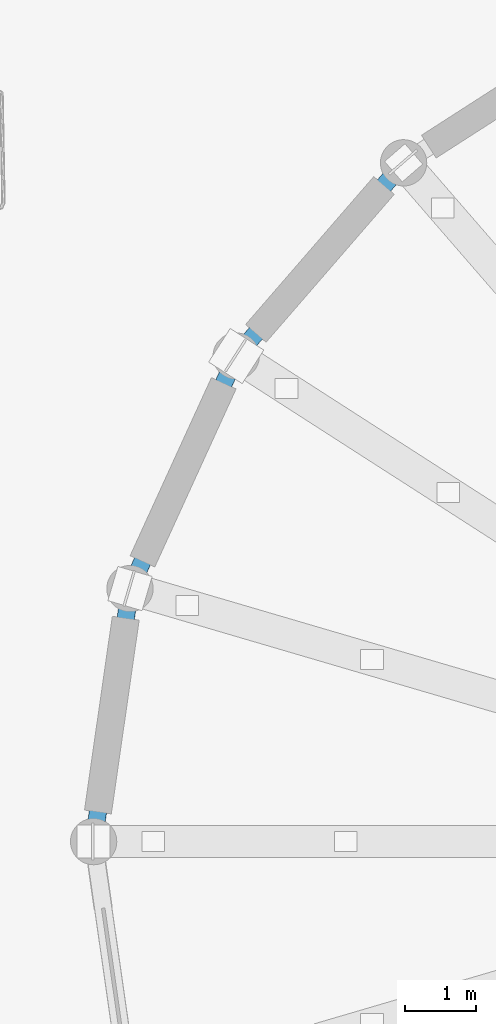
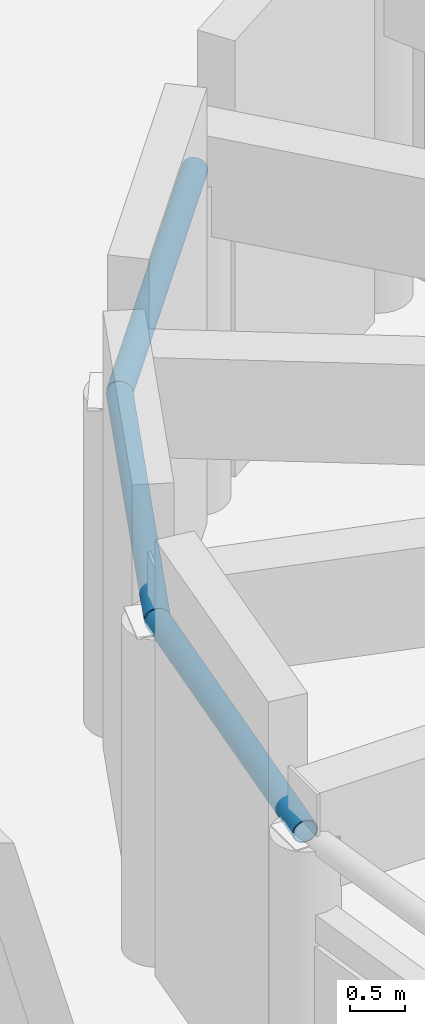
# One storey, part 21 of 69: 3 beams.
"""IFC4 building model written with IfcOpenShell, lengths in metres."""

import ifcopenshell
import ifcopenshell.guid

model = None  # the IFC model being written
_history = None  # IfcOwnerHistory: only IFC2X3 demands one
_inside = {}  # id of a spatial element -> (the spatial element, [elements in it])
_under = {}  # id of a project, library or spatial element -> (it, [spatial elements below it])
_declared = {}  # id of a project -> (the project, [libraries it declares])
_typed = {}  # id of a type object -> (the type object, [elements of that type])
_made_of = {}  # id of a material, layer set ... -> (it, [elements and type objects made of it])


def new_model(schema):
    """Start an empty IFC model of exactly this schema.

    Asked for "IFC4X3", IfcOpenShell would pick the latest addendum, in which some entities
    have other attributes; the version numbers below select the first issue.
    IFC2X3 requires an IfcOwnerHistory on every rooted entity: one is made here for all.
    """
    global model, _history
    if schema == "IFC4X3":
        model = ifcopenshell.file(schema_version=(4, 3, 0, 0))
    else:
        model = ifcopenshell.file(schema=schema)
    _inside.clear()
    _under.clear()
    _declared.clear()
    _typed.clear()
    _made_of.clear()
    _history = None
    if model.schema == "IFC2X3":
        org = make("IfcOrganization", Name="unknown")
        user = make(
            "IfcPersonAndOrganization",
            ThePerson=make("IfcPerson", FamilyName="unknown"),
            TheOrganization=org,
        )
        app = make(
            "IfcApplication",
            ApplicationDeveloper=org,
            Version="unknown",
            ApplicationFullName="unknown",
            ApplicationIdentifier="unknown",
        )
        _history = make(
            "IfcOwnerHistory",
            OwningUser=user,
            OwningApplication=app,
            ChangeAction="ADDED",
            CreationDate=0,
        )
    return model


def make(cls, **values):
    """One entity of the class cls with the attributes given. An attribute that is None is left unset."""
    return model.create_entity(
        cls, **{name: value for name, value in values.items() if value is not None}
    )


def rooted(cls, **values):
    """An entity with a GlobalId (a new one), such as an element, a storey or a relation."""
    return make(cls, GlobalId=ifcopenshell.guid.new(), OwnerHistory=_history, **values)


def si_unit(unit_type, name, prefix=None):
    """IfcSIUnit, for example si_unit("LENGTHUNIT", "METRE", prefix="MILLI")."""
    return make("IfcSIUnit", UnitType=unit_type, Prefix=prefix, Name=name)


def assignment(units):
    """IfcUnitAssignment: the units of a project."""
    return None if units is None else make("IfcUnitAssignment", Units=units)


def point(xyz):
    """IfcCartesianPoint."""
    return None if xyz is None else make("IfcCartesianPoint", Coordinates=xyz)


def direction(xyz):
    """IfcDirection."""
    return None if xyz is None else make("IfcDirection", DirectionRatios=xyz)


def frame(location, z_axis=None, x_axis=None):
    """IfcAxis2Placement3D, a coordinate frame: its origin and axes. An axis left out is left unset."""
    return make(
        "IfcAxis2Placement3D",
        Location=point(location),
        Axis=direction(z_axis),
        RefDirection=direction(x_axis),
    )


def frame_2d(location, x_axis=None):
    """IfcAxis2Placement2D, a coordinate frame in the plane: its origin and x axis."""
    return make(
        "IfcAxis2Placement2D", Location=point(location), RefDirection=direction(x_axis)
    )


def origin():
    """The frame at (0, 0, 0) with its axes left unset."""
    return frame((0.0, 0.0, 0.0))


def origin_2d():
    """The frame at (0, 0) in the plane with its x axis left unset."""
    return frame_2d((0.0, 0.0))


def place(relative_to, where):
    """IfcLocalPlacement: puts the frame where relative to a parent placement (None: the world)."""
    return make(
        "IfcLocalPlacement", PlacementRelTo=relative_to, RelativePlacement=where
    )


def context(
    kind, dimensions, precision=None, world=None, true_north=None, identifier=None
):
    """IfcGeometricRepresentationContext, for example the 3D "Model" context."""
    return make(
        "IfcGeometricRepresentationContext",
        ContextIdentifier=identifier,
        ContextType=kind,
        CoordinateSpaceDimension=dimensions,
        Precision=precision,
        WorldCoordinateSystem=world,
        TrueNorth=true_north,
    )


def subcontext(parent, identifier, kind, view, scale=None):
    """IfcGeometricRepresentationSubContext, for example "Body" below "Model"."""
    return make(
        "IfcGeometricRepresentationSubContext",
        ContextIdentifier=identifier,
        ContextType=kind,
        ParentContext=parent,
        TargetScale=scale,
        TargetView=view,
    )


def project(units=None, contexts=None):
    """IfcProject with its units and contexts."""
    return rooted(
        "IfcProject",
        Name="project",
        RepresentationContexts=contexts,
        UnitsInContext=assignment(units),
    )


def spatial(cls, under=None, at=None, **own):
    """A site, building, storey or space (cls), placed at a placement, below another one or the project."""
    s = rooted(cls, ObjectPlacement=at, **own)
    if under is not None:
        _under.setdefault(under.id(), (under, []))[1].append(s)
    return s


def profile(cls, at=None, kind="AREA", **sizes):
    """A parametric profile (cls). Its sizes go by their IFC names, for example OverallWidth=200.0."""
    return make(cls, ProfileType=kind, Position=at, **sizes)


def hollow_circle(**sizes):
    """IfcCircleHollowProfileDef."""
    return profile("IfcCircleHollowProfileDef", **sizes)


def extrude(swept, where, along, depth):
    """IfcExtrudedAreaSolid: the profile swept, set in the frame where, extruded along a direction by depth."""
    return make(
        "IfcExtrudedAreaSolid",
        SweptArea=swept,
        Position=where,
        ExtrudedDirection=direction(along),
        Depth=depth,
    )


def shape(context_of_items, identifier, shape_type, items):
    """IfcShapeRepresentation: the items that make up one representation, for example the "Body"."""
    return make(
        "IfcShapeRepresentation",
        ContextOfItems=context_of_items,
        RepresentationIdentifier=identifier,
        RepresentationType=shape_type,
        Items=items,
    )


def material(Name=None, Category=None):
    """IfcMaterial."""
    return make("IfcMaterial", Name=Name, Category=Category)


def material_profile(
    of_material, cross_section, Name=None, Category=None, Priority=None
):
    """IfcMaterialProfile: a cross section and its material."""
    return make(
        "IfcMaterialProfile",
        Name=Name,
        Material=of_material,
        Profile=cross_section,
        Priority=Priority,
        Category=Category,
    )


def profile_set(profiles, Name=None, composite=None):
    """IfcMaterialProfileSet."""
    return make(
        "IfcMaterialProfileSet",
        Name=Name,
        MaterialProfiles=profiles,
        CompositeProfile=composite,
    )


def made_of(thing, what):
    """Note that an element or type object is made of a material, layer set ...; save() writes the relation."""
    if what is not None:
        _made_of.setdefault(what.id(), (what, []))[1].append(thing)
    return thing


def type_object(cls, material=None, **own):
    """A type object (cls), such as IfcWallType, which elements share."""
    return made_of(rooted(cls, **own), material)


def element(
    cls,
    number,
    at=None,
    inside=None,
    cuts=None,
    type_object=None,
    material=None,
    context=None,
    identifier="Body",
    shape_type=None,
    held_by="IfcProductDefinitionShape",
    body=None,
    shapes=None,
    **own,
):
    """One element of the class cls, such as IfcWall. Its Tag is "e" and its number.

    at: its placement. inside: the storey or other place that contains it. cuts: it is an
    opening in that element (IfcRelVoidsElement). A single representation is given by context,
    identifier, shape_type and body (its items); several are given by shapes. held_by: the class
    of the entity that holds the representations. save() writes the other relations.
    """
    e = rooted(cls, Tag="e%d" % number, ObjectPlacement=at, **own)
    if body is not None:
        shapes = [shape(context, identifier, shape_type, body)]
    if shapes is not None:
        e.Representation = make(held_by, Representations=shapes)
    if inside is not None:
        _inside.setdefault(inside.id(), (inside, []))[1].append(e)
    if cuts is not None:
        rooted(
            "IfcRelVoidsElement", RelatingBuildingElement=cuts, RelatedOpeningElement=e
        )
    if type_object is not None:
        _typed.setdefault(type_object.id(), (type_object, []))[1].append(e)
    return made_of(e, material)


def aggregate(whole, parts):
    """IfcRelAggregates: a whole, such as a stair, and the parts it consists of."""
    return rooted("IfcRelAggregates", RelatingObject=whole, RelatedObjects=parts)


def save(model, path):
    """Write the relations noted so far, then the file.

    IfcRelAggregates (storeys below a building ...), IfcRelContainedInSpatialStructure (elements
    in a storey), IfcRelDefinesByType, IfcRelAssociatesMaterial and IfcRelDeclares: one each for
    every whole, place, type object, material and project.
    """
    for whole, parts in _under.values():
        aggregate(whole, parts)
    for where, things in _inside.values():
        rooted(
            "IfcRelContainedInSpatialStructure",
            RelatedElements=things,
            RelatingStructure=where,
        )
    for kind, things in _typed.values():
        rooted("IfcRelDefinesByType", RelatedObjects=things, RelatingType=kind)
    for what, things in _made_of.values():
        rooted("IfcRelAssociatesMaterial", RelatedObjects=things, RelatingMaterial=what)
    for by, libraries in _declared.values():
        rooted("IfcRelDeclares", RelatingContext=by, RelatedDefinitions=libraries)
    model.write(path)


model = new_model("IFC4")

# Units and contexts
model_context = context("Model", 3, precision=1e-05, world=origin(), true_north=direction((0.0, 1.0)))
body_context = subcontext(model_context, "Body", "Model", "MODEL_VIEW")
ifc_project = project(units=[si_unit("LENGTHUNIT", "METRE"), si_unit("AREAUNIT", "SQUARE_METRE"), si_unit("VOLUMEUNIT", "CUBIC_METRE"), si_unit("PLANEANGLEUNIT", "RADIAN"), si_unit("MASSUNIT", "GRAM", prefix="KILO")], contexts=[model_context])

# Site, building, storey
site_placement = place(None, origin())
site = spatial("IfcSite", under=ifc_project, at=site_placement, CompositionType="ELEMENT")
building_placement = place(site_placement, origin())
building = spatial("IfcBuilding", under=site, at=building_placement, Name="Pelvatis Terrace Science Centre", CompositionType="ELEMENT")
storey_placement = place(building_placement, frame((0.0, 0.0, 15.0)))
storey = spatial("IfcBuildingStorey", under=building, at=storey_placement, Name="L03", CompositionType="ELEMENT", Elevation=15.0)

# Beams
ifc_material = material(Name="Structural steel S355", Category="steel")
ifc_material_profile = material_profile(ifc_material, hollow_circle(Radius=0.122314453125, WallThickness=0.010009765625, at=origin_2d()), Name="CHS 244.5x10.0")
ifc_profile_set = profile_set([ifc_material_profile], Name="Structural steel S355")
beam_type = type_object("IfcBeamType", Name="BM-HOOP-CHS244", PredefinedType="BEAM", material=ifc_profile_set)
beam_placement = place(storey_placement, frame((100.94873046875, 95.322509765625, 3.60009765625), z_axis=(-0.654863153819, -0.755747477515, 0.0), x_axis=(0.755747477515, -0.654863153819, 0.0)))
element("IfcBeam", 1, at=beam_placement, inside=storey, type_object=beam_type, Name="Planetarium dome hoop ring 1.09", PredefinedType="BEAM", context=body_context, shape_type="SweptSolid", body=[
    extrude(hollow_circle(Radius=0.122314453125, WallThickness=0.010009765625, at=origin_2d()), origin(), (0.0, 0.0, 1.0), 3.58642578125),
])
for number, where, z_axis, x_axis, name in (
    (2, (98.60009765625, 92.612060546875, 3.60009765625), (-0.41540256811, -0.909637678643, 0.0), (0.909637678643, -0.41540256811, 0.0), "Planetarium dome hoop ring 1.10"),
    (3, (97.1103515625, 89.349853515625, 3.60009765625), (-0.142279062089, -0.98982658506, 0.0), (0.98982658506, -0.142279062089, 0.0), "Planetarium dome hoop ring 1.11"),
):
    element("IfcBeam", number, at=place(storey_placement, frame(where, z_axis=z_axis, x_axis=x_axis)), inside=storey, type_object=beam_type, Name=name, PredefinedType="BEAM", context=body_context, shape_type="SweptSolid", body=[
        extrude(hollow_circle(Radius=0.122314453125, WallThickness=0.010009765625, at=origin_2d()), origin(), (0.0, 0.0, 1.0), 3.586181640625),
    ])

save(model, "model.ifc")
